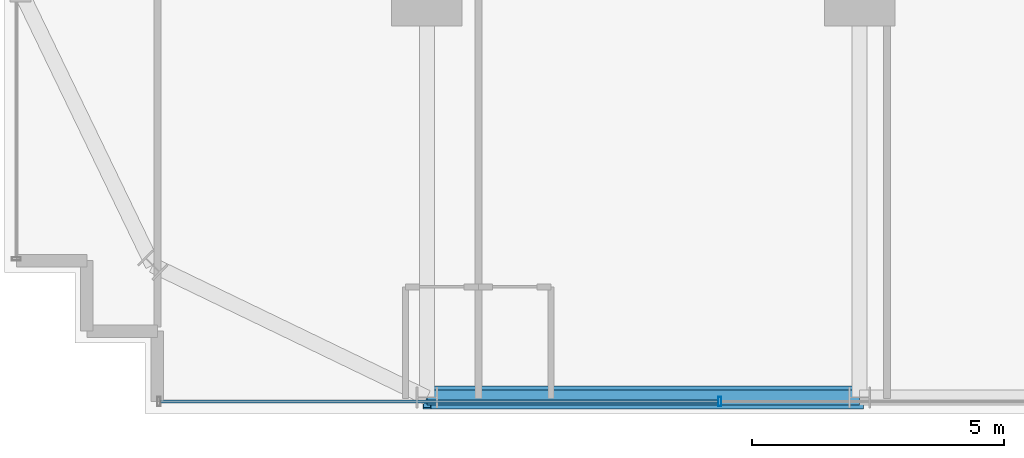
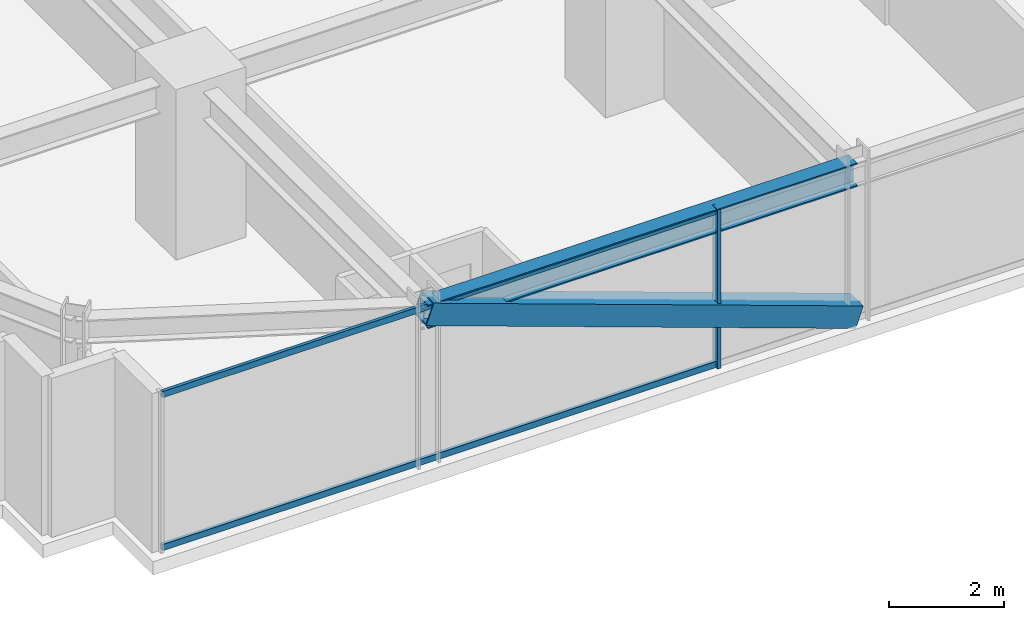
# One storey, part 4 of 35: 4 members, 1 beam, 1 element without a shape of its own.
"""IFC4 building model written with IfcOpenShell, lengths in metres."""

from ifc_helpers import new_model, si_unit, direction, frame, origin, origin_2d, place, context, subcontext, project, spatial, hollow_rectangle, i_section, extrude, source, transform, mapped, material, material_profile, profile_set, type_object, element, aggregate, save


model = new_model("IFC4")

# Units and contexts
model_context = context("Model", 3, precision=1e-05, world=origin(), true_north=direction((0.0, 1.0)))
body_context = subcontext(model_context, "Body", "Model", "MODEL_VIEW")
ifc_project = project(units=[si_unit("LENGTHUNIT", "METRE"), si_unit("AREAUNIT", "SQUARE_METRE"), si_unit("VOLUMEUNIT", "CUBIC_METRE"), si_unit("PLANEANGLEUNIT", "RADIAN"), si_unit("MASSUNIT", "GRAM", prefix="KILO")], contexts=[model_context])

# Site, building, storey
site_placement = place(None, origin())
site = spatial("IfcSite", under=ifc_project, at=site_placement, CompositionType="ELEMENT")
building_placement = place(site_placement, origin())
building = spatial("IfcBuilding", under=site, at=building_placement, Name="Nahalor Promenade Grand Hotel", CompositionType="ELEMENT")
storey_placement = place(building_placement, frame((0.0, 0.0, 39.699951171875)))
storey = spatial("IfcBuildingStorey", under=building, at=storey_placement, Name="L08", CompositionType="ELEMENT", Elevation=39.699951171875)

# Beam
ifc_material_1 = material(Name="Steel S355JR", Category="steel")
ifc_material_profile_1 = material_profile(ifc_material_1, i_section(OverallWidth=0.3, OverallDepth=0.5, WebThickness=0.0145, FlangeThickness=0.028, at=origin_2d()), Name="HEB 500")
ifc_profile_set_1 = profile_set([ifc_material_profile_1], Name="Steel S355JR")
beam_type = type_object("IfcBeamType", Name="Beam-Spandrel-HEB500", PredefinedType="SPANDREL", material=ifc_profile_set_1)
shared_shape_1 = source(origin(), body_context, "Body", "SweptSolid", [
    extrude(i_section(OverallWidth=0.3, OverallDepth=0.5, WebThickness=0.0145, FlangeThickness=0.028, at=origin_2d()), origin(), (0.0, 0.0, 1.0), 8.60009765625),
])
beam_placement = place(storey_placement, frame((-17.0, -25.080078125, 3.1201171875), z_axis=(1.0, 0.0, 0.0), x_axis=(0.0, 1.0, 0.0)))
element("IfcBeam", 1, at=beam_placement, inside=storey, type_object=beam_type, Name="BM-L08-SP-S-0", PredefinedType="SPANDREL", context=body_context, shape_type="MappedRepresentation", body=[
    mapped(shared_shape_1, transform((0.0, 0.0, 0.0), scale=1.0)),
])

# Member
ifc_material_2 = material(Name="Steel S355J2", Category="steel")
ifc_material_profile_2 = material_profile(ifc_material_2, hollow_rectangle(XDim=0.45, YDim=0.45, WallThickness=0.025, at=origin_2d()), Name="SHS 450x450x25")
ifc_profile_set_2 = profile_set([ifc_material_profile_2], Name="Steel S355J2")
member_type_1 = type_object("IfcMemberType", Name="Mem-ExoBrace-SHS450", PredefinedType="BRACE", material=ifc_profile_set_2)
shared_shape_2 = source(origin(), body_context, "Body", "SweptSolid", [
    extrude(hollow_rectangle(XDim=0.45, YDim=0.45, WallThickness=0.025, at=origin_2d()), origin(), (0.0, 0.0, 1.0), 9.131591796875),
])
member_1_placement = place(storey_placement, frame((-8.39990234375, -25.080078125, 0.150146484375), z_axis=(-0.941798757288, 0.0, 0.336177186571), x_axis=(0.0, -1.0, 0.0)))
element("IfcMember", 2, at=member_1_placement, inside=storey, type_object=member_type_1, Name="EXO-L08-S-0", PredefinedType="BRACE", context=body_context, shape_type="MappedRepresentation", body=[
    mapped(shared_shape_2, transform((0.0, 0.0, 0.0), scale=1.0)),
])

# Curtain wall, members
ifc_material_3 = material(Name="Anodised Bronze Aluminium EN AW-6063 T6", Category="aluminium")
curtain_wall_type = type_object("IfcCurtainWallType", Name="CW2 Typical Hotel Flush Bronze Unitised Curtain Wall", PredefinedType="USERDEFINED", material=ifc_material_3)
curtain_wall_placement = place(storey_placement, origin())
curtain_wall = element("IfcCurtainWall", 3, at=curtain_wall_placement, inside=storey, type_object=curtain_wall_type, Name="L08 Curtain Wall CW-L08-S-1", ObjectType="UNITISED_CURTAIN_WALL", PredefinedType="USERDEFINED")
ifc_material_profile_3 = material_profile(ifc_material_3, hollow_rectangle(XDim=0.065, YDim=0.18, WallThickness=0.004, at=origin_2d()), Name="CWM 65x180x4")
ifc_profile_set_3 = profile_set([ifc_material_profile_3], Name="Anodised Bronze Aluminium EN AW-6063 T6")
member_type_2 = type_object("IfcMemberType", Name="CWM2 Typical Bronze Mullion 65x180", PredefinedType="MULLION", material=ifc_profile_set_3)
shared_shape_3 = source(origin(), body_context, "Body", "SweptSolid", [
    extrude(hollow_rectangle(XDim=0.065, YDim=0.18, WallThickness=0.004, at=origin_2d()), origin(), (0.0, 0.0, 1.0), 3.3701171875),
])
member_2_placement = place(storey_placement, frame((-11.179931640625, -25.159912109375, 0.0), z_axis=(0.0, 0.0, 1.0), x_axis=(1.0, 0.0, 0.0)))
member_2 = element("IfcMember", 4, at=member_2_placement, type_object=member_type_2, Name="CW-L08-S-1 Mullion 1", PredefinedType="MULLION", context=body_context, shape_type="MappedRepresentation", body=[
    mapped(shared_shape_3, transform((0.0, 0.0, 0.0), scale=1.0)),
])
ifc_material_profile_4 = material_profile(ifc_material_3, hollow_rectangle(XDim=0.065, YDim=0.13, WallThickness=0.004, at=origin_2d()), Name="CWT 65x130x4")
ifc_profile_set_4 = profile_set([ifc_material_profile_4], Name="Anodised Bronze Aluminium EN AW-6063 T6")
member_type_3 = type_object("IfcMemberType", Name="CWT2 Typical Bronze Transom 65x130", PredefinedType="USERDEFINED", material=ifc_profile_set_4)
shared_shape_4 = source(origin(), body_context, "Body", "SweptSolid", [
    extrude(hollow_rectangle(XDim=0.065, YDim=0.13, WallThickness=0.004, at=origin_2d()), origin(), (0.0, 0.0, 1.0), 11.08251953125),
])
member_3_placement = place(storey_placement, frame((-22.294921875, -25.159912109375, 0.06494140625), z_axis=(1.0, 0.0, 0.0), x_axis=(0.0, 1.0, 0.0)))
member_3 = element("IfcMember", 5, at=member_3_placement, type_object=member_type_3, Name="CW-L08-S-1 Transom 0-0", ObjectType="TRANSOM", PredefinedType="USERDEFINED", context=body_context, shape_type="MappedRepresentation", body=[
    mapped(shared_shape_4, transform((0.0, 0.0, 0.0), scale=1.0)),
])
member_4_placement = place(storey_placement, frame((-22.294921875, -25.159912109375, 3.304931640625), z_axis=(1.0, 0.0, 0.0), x_axis=(0.0, 1.0, 0.0)))
member_4 = element("IfcMember", 6, at=member_4_placement, type_object=member_type_3, Name="CW-L08-S-1 Transom 0-1", ObjectType="TRANSOM", PredefinedType="USERDEFINED", context=body_context, shape_type="MappedRepresentation", body=[
    mapped(shared_shape_4, transform((0.0, 0.0, 0.0), scale=1.0)),
])
aggregate(curtain_wall, [member_2, member_3, member_4])

save(model, "model.ifc")
